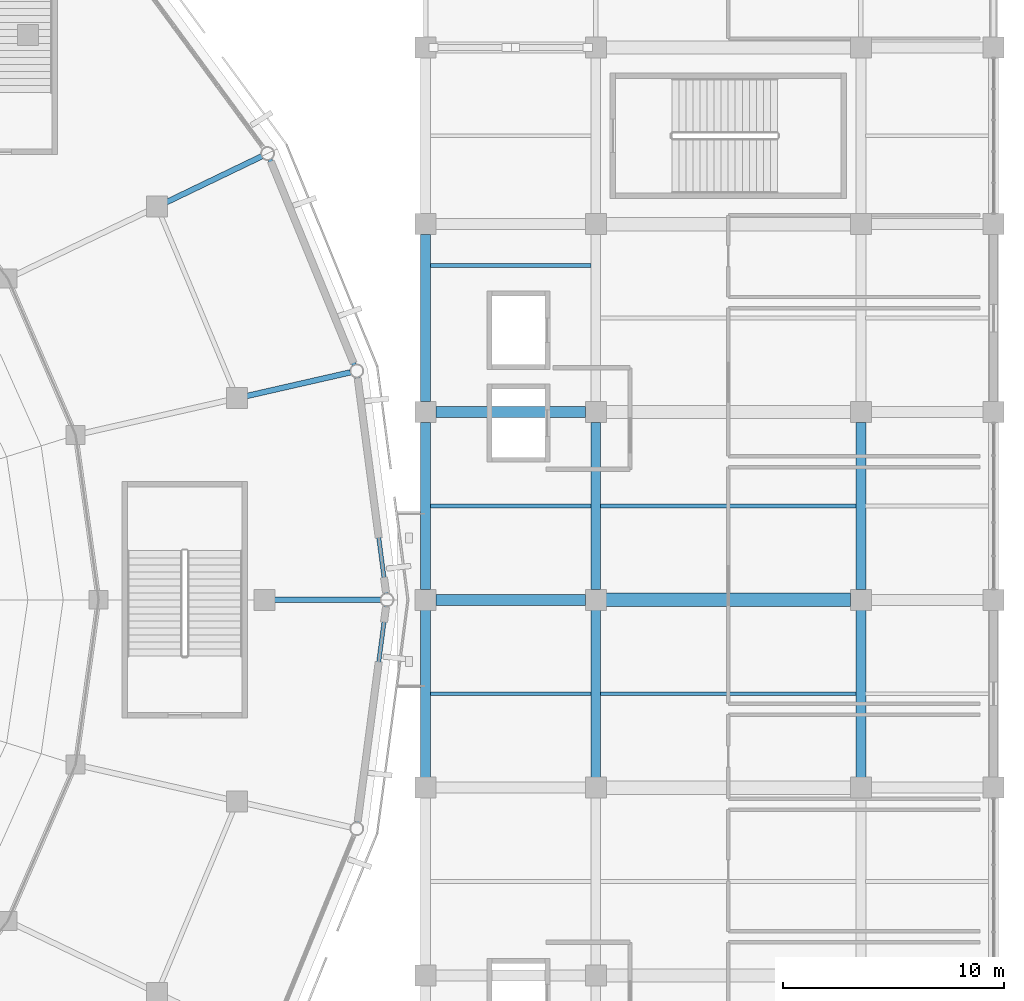
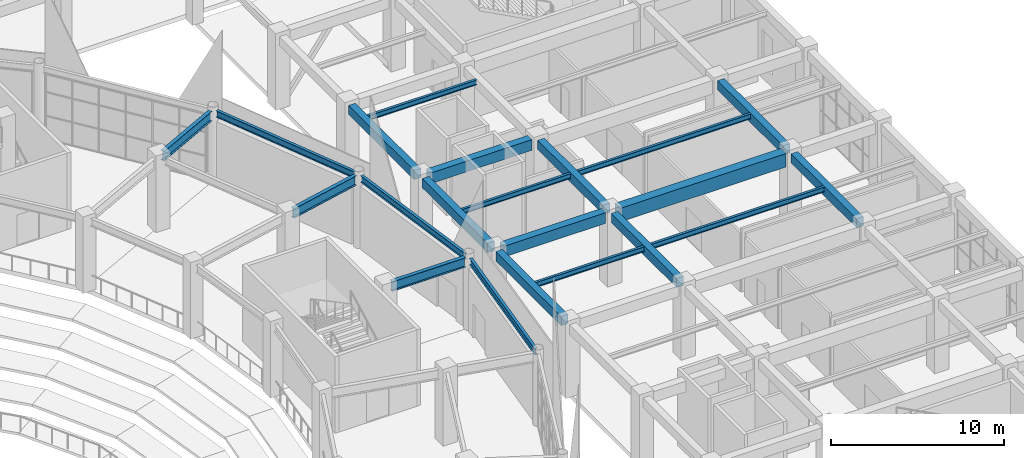
# One storey, part 51 of 120: 21 beams.
"""IFC4 building model written with IfcOpenShell, lengths in metres."""

from ifc_helpers import new_model, si_unit, direction, frame, origin, origin_2d, place, context, subcontext, project, spatial, rectangle, i_section, extrude, material, material_profile, profile_set, type_object, element, save


model = new_model("IFC4")

# Units and contexts
model_context = context("Model", 3, precision=1e-05, world=origin(), true_north=direction((0.0, 1.0)))
body_context = subcontext(model_context, "Body", "Model", "MODEL_VIEW")
ifc_project = project(units=[si_unit("LENGTHUNIT", "METRE"), si_unit("AREAUNIT", "SQUARE_METRE"), si_unit("VOLUMEUNIT", "CUBIC_METRE"), si_unit("PLANEANGLEUNIT", "RADIAN"), si_unit("MASSUNIT", "GRAM", prefix="KILO")], contexts=[model_context])

# Site, building, storey
site_placement = place(None, origin())
site = spatial("IfcSite", under=ifc_project, at=site_placement, CompositionType="ELEMENT")
building_placement = place(site_placement, origin())
building = spatial("IfcBuilding", under=site, at=building_placement, Name="Cuetzalor Civic Arena", CompositionType="ELEMENT")
storey_placement = place(building_placement, frame((0.0, 0.0, 6.0)))
storey = spatial("IfcBuildingStorey", under=building, at=storey_placement, Name="L01", CompositionType="ELEMENT", Elevation=6.0)

# Beams
ifc_material_1 = material(Name="Concrete C40/50", Category="concrete")
ifc_material_profile_1 = material_profile(ifc_material_1, rectangle(XDim=0.5, YDim=0.75, at=origin_2d()), Name="RC 500x750")
ifc_profile_set_1 = profile_set([ifc_material_profile_1], Name="Concrete C40/50")
beam_type_1 = type_object("IfcBeamType", Name="ConcreteFrameBeam_500x750", PredefinedType="BEAM", material=ifc_profile_set_1)
for number, where, z_axis, x_axis, name in (
    (1, (56.764892578125, 0.0, 4.7451171875), (1.0, 0.0, 0.0), (0.0, 1.0, 0.0), "Frame Girder V4E-L01-X0444"),
    (2, (56.764892578125, 8.5, 4.7451171875), (1.0, 0.0, 0.0), (0.0, 1.0, 0.0), "Frame Girder V4E-L01-X0447"),
):
    element("IfcBeam", number, at=place(storey_placement, frame(where, z_axis=z_axis, x_axis=x_axis)), inside=storey, type_object=beam_type_1, Name=name, PredefinedType="BEAM", context=body_context, shape_type="SweptSolid", body=[
        extrude(rectangle(XDim=0.5, YDim=0.75, at=origin_2d()), origin(), (0.0, 0.0, 1.0), 6.77001953125),
    ])
ifc_material_2 = material(Name="Concrete C40/50", Category="concrete")
ifc_material_profile_2 = material_profile(ifc_material_2, rectangle(XDim=0.60009765625, YDim=0.949951171875, at=origin_2d()), Name="RC 600x950")
ifc_profile_set_2 = profile_set([ifc_material_profile_2], Name="Concrete C40/50")
beam_type_2 = type_object("IfcBeamType", Name="ConcreteFrameBeam_600x950", PredefinedType="BEAM", material=ifc_profile_set_2)
beam_1_placement = place(storey_placement, frame((64.465087890625, 0.0, 4.64501953125), z_axis=(1.0, 0.0, 0.0), x_axis=(0.0, 1.0, 0.0)))
element("IfcBeam", 3, at=beam_1_placement, inside=storey, type_object=beam_type_2, Name="Frame Girder V4E-L01-X0445", PredefinedType="BEAM", context=body_context, shape_type="SweptSolid", body=[
    extrude(rectangle(XDim=0.60009765625, YDim=0.949951171875, at=origin_2d()), origin(), (0.0, 0.0, 1.0), 11.06982421875),
])
ifc_material_3 = material(Name="Concrete C40/50", Category="concrete")
ifc_material_profile_3 = material_profile(ifc_material_3, rectangle(XDim=0.449951171875, YDim=0.64990234375, at=origin_2d()), Name="RC 450x650")
ifc_profile_set_3 = profile_set([ifc_material_profile_3], Name="Concrete C40/50")
beam_type_3 = type_object("IfcBeamType", Name="ConcreteTieBeam_450x650", PredefinedType="BEAM", material=ifc_profile_set_3)
for number, where, z_axis, x_axis, name in (
    (4, (56.300048828125, -8.034912109375, 4.794921875), (0.0, 1.0, 0.0), (-1.0, 0.0, 0.0), "Frame Girder V4E-L01-Y0466"),
    (5, (56.300048828125, 0.465087890625, 4.794921875), (0.0, 1.0, 0.0), (-1.0, 0.0, 0.0), "Frame Girder V4E-L01-Y0467"),
    (6, (56.300048828125, 8.965087890625, 4.794921875), (0.0, 1.0, 0.0), (-1.0, 0.0, 0.0), "Frame Girder V4E-L01-Y0468"),
    (7, (64.0, -8.034912109375, 4.794921875), (0.0, 1.0, 0.0), (-1.0, 0.0, 0.0), "Frame Girder V4E-L01-Y0476"),
    (8, (64.0, 0.465087890625, 4.794921875), (0.0, 1.0, 0.0), (-1.0, 0.0, 0.0), "Frame Girder V4E-L01-Y0477"),
    (9, (76.0, -8.034912109375, 4.794921875), (0.0, 1.0, 0.0), (-1.0, 0.0, 0.0), "Frame Girder V4E-L01-Y0486"),
    (10, (76.0, 0.465087890625, 4.794921875), (0.0, 1.0, 0.0), (-1.0, 0.0, 0.0), "Frame Girder V4E-L01-Y0487"),
):
    element("IfcBeam", number, at=place(storey_placement, frame(where, z_axis=z_axis, x_axis=x_axis)), inside=storey, type_object=beam_type_3, Name=name, PredefinedType="BEAM", context=body_context, shape_type="SweptSolid", body=[
        extrude(rectangle(XDim=0.449951171875, YDim=0.64990234375, at=origin_2d()), origin(), (0.0, 0.0, 1.0), 7.56982421875),
    ])
ifc_material_4 = material(Name="Steel S355", Category="steel")
ifc_material_profile_4 = material_profile(ifc_material_4, i_section(OverallWidth=0.18994140625, OverallDepth=0.45703125, WebThickness=0.009033203125, FlangeThickness=0.014404296875, at=origin_2d()), Name="W460x74")
ifc_profile_set_4 = profile_set([ifc_material_profile_4], Name="Steel S355")
beam_type_4 = type_object("IfcBeamType", Name="FacadeSpandrelBeam_W460", PredefinedType="SPANDREL", material=ifc_profile_set_4)
beam_2_placement = place(storey_placement, frame((54.511962890625, 0.28759765625, 4.8916015625), z_axis=(-0.130901206694, 0.991395417624, 0.0), x_axis=(-0.991395417624, -0.130901206694, 0.0)))
element("IfcBeam", 11, at=beam_2_placement, inside=storey, type_object=beam_type_4, Name="Drum Perimeter Spandrel L01-S01", PredefinedType="SPANDREL", context=body_context, shape_type="SweptSolid", body=[
    extrude(i_section(OverallWidth=0.18994140625, OverallDepth=0.45703125, WebThickness=0.009033203125, FlangeThickness=0.014404296875, at=origin_2d()), origin(), (0.0, 0.0, 1.0), 9.8681640625),
])
beam_3_placement = place(storey_placement, frame((53.072265625, 10.626708984375, 4.8916015625), z_axis=(-0.379398599643, 0.925233323324, 0.0), x_axis=(-0.925233323324, -0.379398599643, 0.0)))
element("IfcBeam", 12, at=beam_3_placement, inside=storey, type_object=beam_type_4, Name="Drum Perimeter Spandrel L01-S02", PredefinedType="SPANDREL", context=body_context, shape_type="SweptSolid", body=[
    extrude(i_section(OverallWidth=0.18994140625, OverallDepth=0.45703125, WebThickness=0.009033203125, FlangeThickness=0.014404296875, at=origin_2d()), origin(), (0.0, 0.0, 1.0), 10.053955078125),
])
beam_4_placement = place(storey_placement, frame((53.22021484375, -10.07080078125, 4.8916015625), z_axis=(0.130901206694, 0.991395417624, 0.0), x_axis=(-0.991395417624, 0.130901206694, 0.0)))
element("IfcBeam", 13, at=beam_4_placement, inside=storey, type_object=beam_type_4, Name="Drum Perimeter Spandrel L01-S28", PredefinedType="SPANDREL", context=body_context, shape_type="SweptSolid", body=[
    extrude(i_section(OverallWidth=0.18994140625, OverallDepth=0.45703125, WebThickness=0.009033203125, FlangeThickness=0.014404296875, at=origin_2d()), origin(), (0.0, 0.0, 1.0), 9.8681640625),
])
ifc_material_5 = material(Name="Steel S355", Category="steel")
ifc_material_profile_5 = material_profile(ifc_material_5, i_section(OverallWidth=0.1708984375, OverallDepth=0.35498046875, WebThickness=0.007080078125, FlangeThickness=0.01171875, at=origin_2d()), Name="W360x51")
ifc_profile_set_5 = profile_set([ifc_material_profile_5], Name="Steel S355")
beam_type_5 = type_object("IfcBeamType", Name="SecondaryFloorJoist_W360", PredefinedType="JOIST", material=ifc_profile_set_5)
for number, where, z_axis, x_axis, name in (
    (14, (56.51708984375, -4.25, 4.9423828125), (1.0, 0.0, 0.0), (0.0, 1.0, 0.0), "Secondary Floor Joist V4E-L01-0139"),
    (15, (56.51708984375, 4.25, 4.9423828125), (1.0, 0.0, 0.0), (0.0, 1.0, 0.0), "Secondary Floor Joist V4E-L01-0140"),
    (16, (56.51708984375, 15.1298828125, 4.9423828125), (1.0, 0.0, 0.0), (0.0, 1.0, 0.0), "Secondary Floor Joist V4E-L01-0141"),
):
    element("IfcBeam", number, at=place(storey_placement, frame(where, z_axis=z_axis, x_axis=x_axis)), inside=storey, type_object=beam_type_5, Name=name, PredefinedType="JOIST", context=body_context, shape_type="SweptSolid", body=[
        extrude(i_section(OverallWidth=0.1708984375, OverallDepth=0.35498046875, WebThickness=0.007080078125, FlangeThickness=0.01171875, at=origin_2d()), origin(), (0.0, 0.0, 1.0), 7.265869140625),
    ])
for number, where, z_axis, x_axis, name in (
    (17, (64.217041015625, -4.25, 4.9423828125), (1.0, 0.0, 0.0), (0.0, 1.0, 0.0), "Secondary Floor Joist V4E-L01-0147"),
    (18, (64.217041015625, 4.25, 4.9423828125), (1.0, 0.0, 0.0), (0.0, 1.0, 0.0), "Secondary Floor Joist V4E-L01-0148"),
):
    element("IfcBeam", number, at=place(storey_placement, frame(where, z_axis=z_axis, x_axis=x_axis)), inside=storey, type_object=beam_type_5, Name=name, PredefinedType="JOIST", context=body_context, shape_type="SweptSolid", body=[
        extrude(i_section(OverallWidth=0.1708984375, OverallDepth=0.35498046875, WebThickness=0.007080078125, FlangeThickness=0.01171875, at=origin_2d()), origin(), (0.0, 0.0, 1.0), 11.56591796875),
    ])
ifc_material_6 = material(Name="Steel S355", Category="steel")
ifc_material_profile_6 = material_profile(ifc_material_6, i_section(OverallWidth=0.2529296875, OverallDepth=0.677978515625, WebThickness=0.01171875, FlangeThickness=0.016357421875, at=origin_2d()), Name="W690x125")
ifc_profile_set_6 = profile_set([ifc_material_profile_6], Name="Steel S355")
beam_type_6 = type_object("IfcBeamType", Name="SteelPrimaryGirder_W690", PredefinedType="BEAM", material=ifc_profile_set_6)
for number, where, z_axis, x_axis, name in (
    (19, (49.360107421875, 0.0, 4.781005859375), (1.0, 0.0, 0.0), (0.0, 1.0, 0.0), "Drum Radial Girder L01-R01"),
    (20, (48.12255859375, 9.20361328125, 4.781005859375), (0.974939153271, 0.222471677792, 0.0), (-0.222471677792, 0.974939153271, 0.0), "Drum Radial Girder L01-R02"),
):
    element("IfcBeam", number, at=place(storey_placement, frame(where, z_axis=z_axis, x_axis=x_axis)), inside=storey, type_object=beam_type_6, Name=name, PredefinedType="BEAM", context=body_context, shape_type="SweptSolid", body=[
        extrude(i_section(OverallWidth=0.2529296875, OverallDepth=0.677978515625, WebThickness=0.01171875, FlangeThickness=0.016357421875, at=origin_2d()), origin(), (0.0, 0.0, 1.0), 4.89990234375),
    ])
beam_5_placement = place(storey_placement, frame((44.4716796875, 17.9453125, 4.781005859375), z_axis=(0.900964883231, 0.433892013275, 0.0), x_axis=(-0.433892013275, 0.900964883231, 0.0)))
element("IfcBeam", 21, at=beam_5_placement, inside=storey, type_object=beam_type_6, Name="Drum Radial Girder L01-R03", PredefinedType="BEAM", context=body_context, shape_type="SweptSolid", body=[
    extrude(i_section(OverallWidth=0.2529296875, OverallDepth=0.677978515625, WebThickness=0.01171875, FlangeThickness=0.016357421875, at=origin_2d()), origin(), (0.0, 0.0, 1.0), 4.900390625),
])

save(model, "model.ifc")
